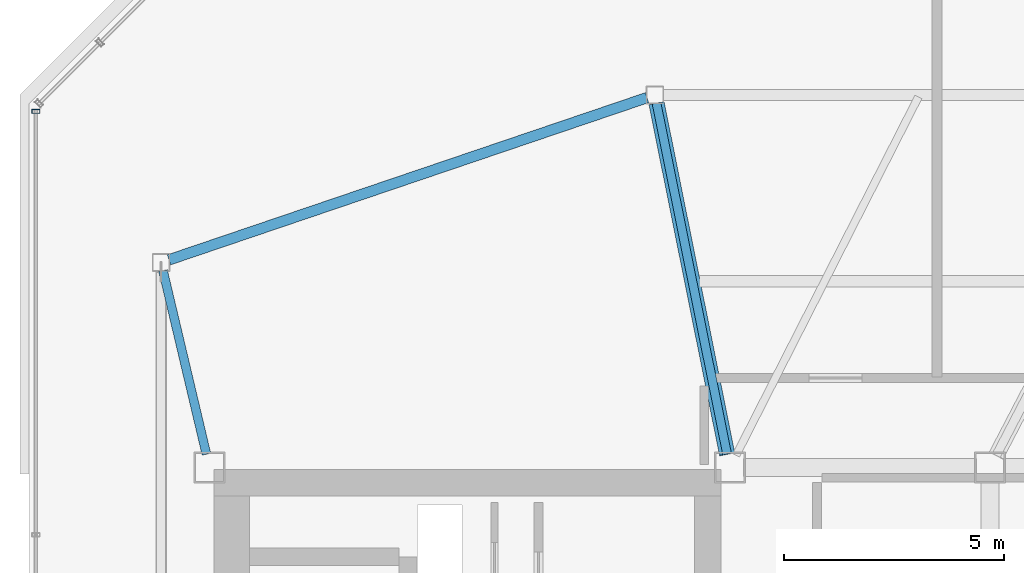
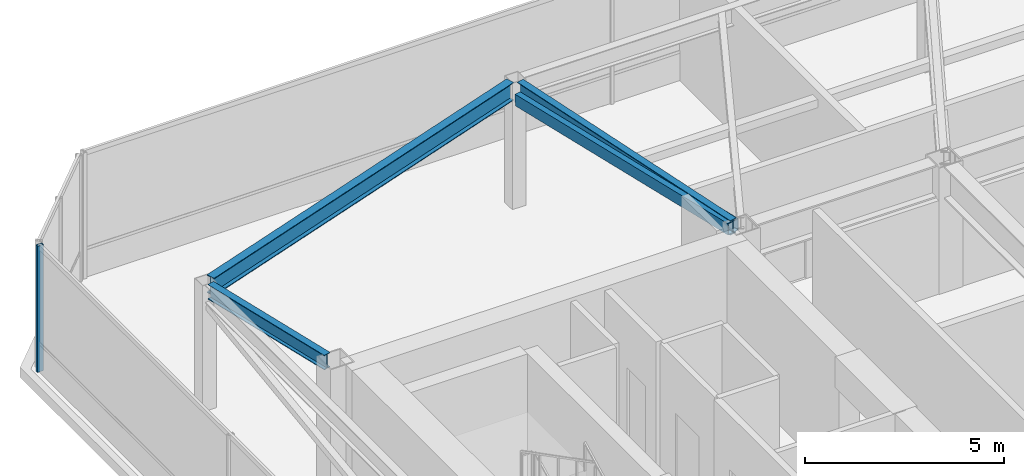
# One storey, part 7 of 22: 3 beams, 2 members, 1 element without a shape of its own.
"""IFC4 building model written with IfcOpenShell, lengths in metres."""

from ifc_helpers import new_model, si_unit, direction, frame, origin, origin_2d, place, context, subcontext, project, spatial, hollow_rectangle, i_section, extrude, material, layer, layer_set, material_profile, profile_set, type_object, element, aggregate, save


model = new_model("IFC4")

# Units and contexts
model_context = context("Model", 3, precision=1e-05, world=origin(), true_north=direction((0.0, 1.0)))
body_context = subcontext(model_context, "Body", "Model", "MODEL_VIEW")
ifc_project = project(units=[si_unit("LENGTHUNIT", "METRE"), si_unit("AREAUNIT", "SQUARE_METRE"), si_unit("VOLUMEUNIT", "CUBIC_METRE"), si_unit("PLANEANGLEUNIT", "RADIAN"), si_unit("MASSUNIT", "GRAM", prefix="KILO")], contexts=[model_context])

# Site, building, storey
site_placement = place(None, origin())
site = spatial("IfcSite", under=ifc_project, at=site_placement, CompositionType="ELEMENT")
building_placement = place(site_placement, origin())
building = spatial("IfcBuilding", under=site, at=building_placement, Name="Tavrogorsk Clinical Tower", CompositionType="ELEMENT")
storey_placement = place(building_placement, frame((0.0, 0.0, 352.800048828125)))
storey = spatial("IfcBuildingStorey", under=building, at=storey_placement, Name="L82", CompositionType="ELEMENT", Elevation=352.800048828125)

# Member
ifc_material_1 = material(Name="Structural steel S390", Category="steel")
ifc_material_profile_1 = material_profile(ifc_material_1, hollow_rectangle(XDim=0.35009765625, YDim=0.35009765625, WallThickness=0.01611328125, at=origin_2d()), Name="SHS-350x350x16")
ifc_profile_set_1 = profile_set([ifc_material_profile_1], Name="Structural steel S390")
member_type_1 = type_object("IfcMemberType", Name="CrownFacetRafter_SHS350", PredefinedType="RAFTER", material=ifc_profile_set_1)
member_1_placement = place(storey_placement, frame((-10.361083984375, 6.65380859375, 3.649169921875), z_axis=(-0.197131403057, 0.979759922029, -0.034780815313), x_axis=(-0.980353070529, -0.197250746779, 0.0)))
element("IfcMember", 1, at=member_1_placement, inside=storey, type_object=member_type_1, Name="L82 Sloped Facet Rafter N-1", PredefinedType="RAFTER", context=body_context, shape_type="SweptSolid", body=[
    extrude(hollow_rectangle(XDim=0.35009765625, YDim=0.35009765625, WallThickness=0.01611328125, at=origin_2d()), origin(), (0.0, 0.0, 1.0), 8.114501953125),
])

# Curtain wall, member
ifc_material_2 = material(Name="Anodised aluminium and triple IGU glazing", Category="aluminium")
ifc_layer = layer(ifc_material_2, 0.179931640625)
ifc_layer_set = layer_set([ifc_layer], Name="Anodised aluminium and triple IGU glazing")
curtain_wall_type = type_object("IfcCurtainWallType", Name="CW5_SkyLobby", PredefinedType="NOTDEFINED", material=ifc_layer_set)
curtain_wall_placement = place(storey_placement, origin())
curtain_wall = element("IfcCurtainWall", 2, at=curtain_wall_placement, inside=storey, type_object=curtain_wall_type, Name="L82 Curtain Wall CW-L82-DRUM-2", PredefinedType="NOTDEFINED")
ifc_material_3 = material(Name="Anodised aluminium alloy AW-6060", Category="aluminium")
ifc_material_profile_2 = material_profile(ifc_material_3, hollow_rectangle(XDim=0.090087890625, YDim=0.179931640625, WallThickness=0.00634765625, at=origin_2d()), Name="RHS-180x90x6.3")
ifc_profile_set_2 = profile_set([ifc_material_profile_2], Name="Anodised aluminium alloy AW-6060")
member_type_2 = type_object("IfcMemberType", Name="CwMullion_180x90", PredefinedType="MULLION", material=ifc_profile_set_2)
member_2_placement = place(storey_placement, frame((-26.0400390625, 14.4287109375, 0.0), z_axis=(0.0, 0.0, 1.0), x_axis=(0.0, 1.0, 0.0)))
member_2 = element("IfcMember", 3, at=member_2_placement, type_object=member_type_2, Name="CW-L82-DRUM-2 Mullion 4", PredefinedType="MULLION", context=body_context, shape_type="SweptSolid", body=[
    extrude(hollow_rectangle(XDim=0.090087890625, YDim=0.179931640625, WallThickness=0.00634765625, at=origin_2d()), origin(), (0.0, 0.0, 1.0), 3.8798828125),
])
aggregate(curtain_wall, [member_2])

# Beams
ifc_material_4 = material(Name="Structural steel S355", Category="steel")
ifc_material_profile_3 = material_profile(ifc_material_4, i_section(OverallWidth=0.199951171875, OverallDepth=0.449951171875, WebThickness=0.011474609375, FlangeThickness=0.01806640625, at=origin_2d()), Name="B-450x200x11.5x18")
ifc_profile_set_3 = profile_set([ifc_material_profile_3], Name="Structural steel S355")
beam_type_1 = type_object("IfcBeamType", Name="FloorBeam_B450", PredefinedType="BEAM", material=ifc_profile_set_3)
beam_1_placement = place(storey_placement, frame((-10.361083984375, 6.65380859375, 3.655029296875), z_axis=(-0.197249355273, 0.980353350504, 0.0), x_axis=(-0.980353350504, -0.197249355273, 0.0)))
element("IfcBeam", 4, at=beam_1_placement, inside=storey, type_object=beam_type_1, Name="L82 Crown Radial Beam 08", PredefinedType="BEAM", context=body_context, shape_type="SweptSolid", body=[
    extrude(i_section(OverallWidth=0.199951171875, OverallDepth=0.449951171875, WebThickness=0.011474609375, FlangeThickness=0.01806640625, at=origin_2d()), origin(), (0.0, 0.0, 1.0), 8.119384765625),
])
beam_2_placement = place(storey_placement, frame((-22.17138671875, 6.651611328125, 3.655029296875), z_axis=(-0.230190528398, 0.973145580392, 0.0), x_axis=(-0.973145580392, -0.230190528398, 0.0)))
element("IfcBeam", 5, at=beam_2_placement, inside=storey, type_object=beam_type_1, Name="L82 Crown Radial Beam 09", PredefinedType="BEAM", context=body_context, shape_type="SweptSolid", body=[
    extrude(i_section(OverallWidth=0.199951171875, OverallDepth=0.449951171875, WebThickness=0.011474609375, FlangeThickness=0.01806640625, at=origin_2d()), origin(), (0.0, 0.0, 1.0), 4.278564453125),
])
ifc_material_5 = material(Name="Structural steel S390", Category="steel")
ifc_material_profile_4 = material_profile(ifc_material_5, i_section(OverallWidth=0.239990234375, OverallDepth=0.550048828125, WebThickness=0.013916015625, FlangeThickness=0.02197265625, at=origin_2d()), Name="B-550x240x14x22")
ifc_profile_set_4 = profile_set([ifc_material_profile_4], Name="Structural steel S390")
beam_type_2 = type_object("IfcBeamType", Name="SpandrelBeam_B550", PredefinedType="SPANDREL", material=ifc_profile_set_4)
beam_3_placement = place(storey_placement, frame((-12.179931640625, 14.739013671875, 3.60498046875), z_axis=(-0.946976266831, -0.321303517034, 0.0), x_axis=(0.321303517034, -0.946976266831, 0.0)))
element("IfcBeam", 6, at=beam_3_placement, inside=storey, type_object=beam_type_2, Name="L82 Crown Spandrel Beam 08", PredefinedType="SPANDREL", context=body_context, shape_type="SweptSolid", body=[
    extrude(i_section(OverallWidth=0.239990234375, OverallDepth=0.550048828125, WebThickness=0.013916015625, FlangeThickness=0.02197265625, at=origin_2d()), origin(), (0.0, 0.0, 1.0), 11.447021484375),
])

save(model, "model.ifc")
